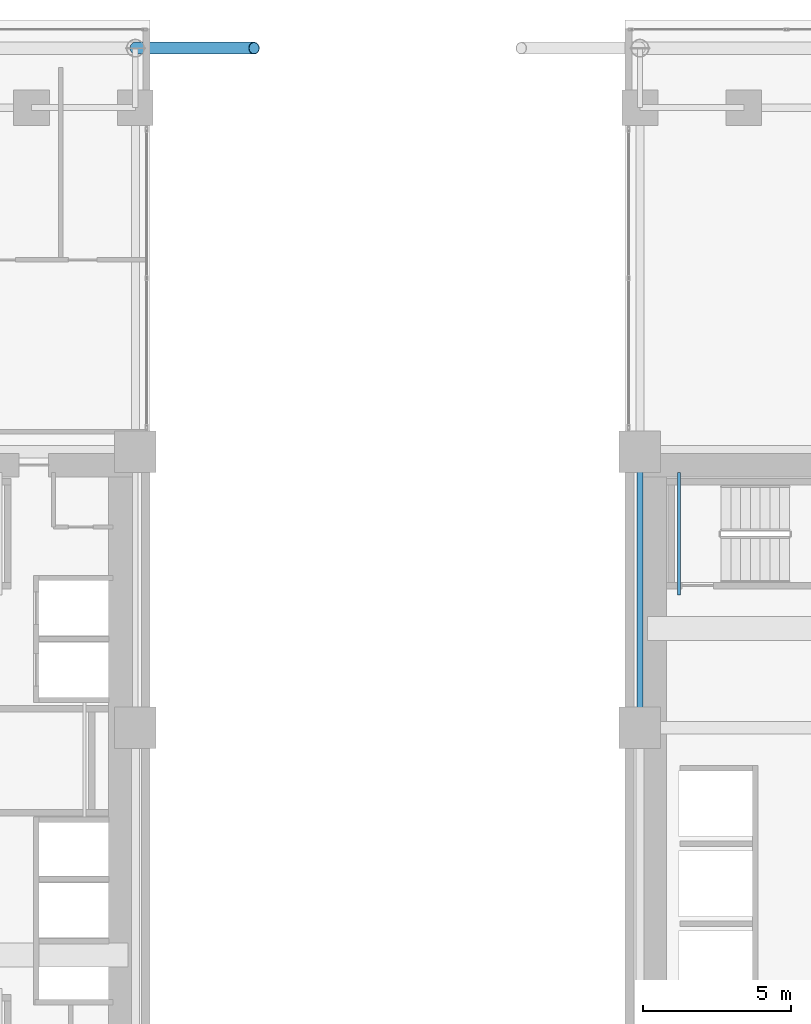
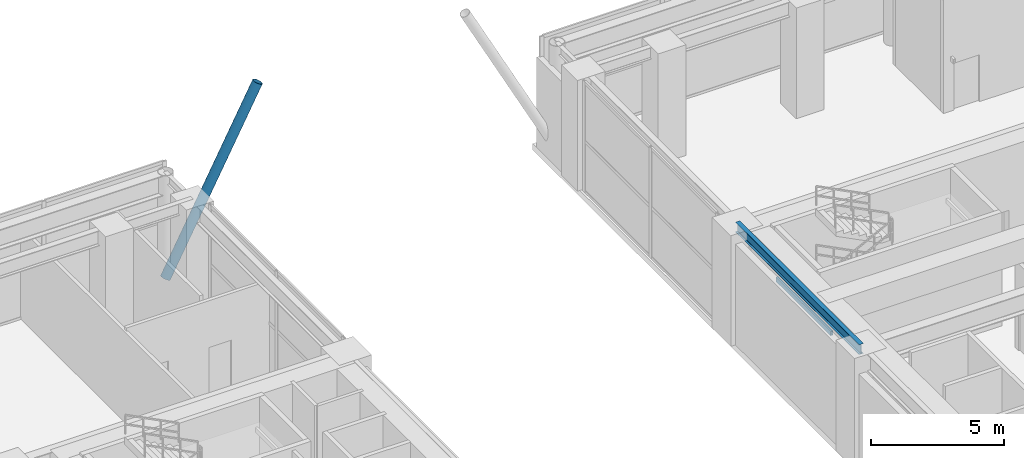
# One storey, part 14 of 29: 2 beams, 1 member.
"""IFC4 building model written with IfcOpenShell, lengths in metres."""

from ifc_helpers import new_model, si_unit, direction, frame, origin, origin_2d, place, context, subcontext, project, spatial, hollow_rectangle, hollow_circle, i_section, extrude, source, transform, mapped, material, material_profile, profile_set, type_object, element, save


model = new_model("IFC4")

# Units and contexts
model_context = context("Model", 3, precision=1e-05, world=origin(), true_north=direction((0.0, 1.0)))
body_context = subcontext(model_context, "Body", "Model", "MODEL_VIEW")
ifc_project = project(units=[si_unit("LENGTHUNIT", "METRE"), si_unit("AREAUNIT", "SQUARE_METRE"), si_unit("VOLUMEUNIT", "CUBIC_METRE"), si_unit("PLANEANGLEUNIT", "RADIAN"), si_unit("MASSUNIT", "GRAM", prefix="KILO")], contexts=[model_context])

# Site, building, storey
site_placement = place(None, origin())
site = spatial("IfcSite", under=ifc_project, at=site_placement, CompositionType="ELEMENT")
building_placement = place(site_placement, origin())
building = spatial("IfcBuilding", under=site, at=building_placement, Name="Ocotamira Hotel", CompositionType="ELEMENT")
storey_placement = place(building_placement, frame((0.0, 0.0, 6.0)))
storey = spatial("IfcBuildingStorey", under=building, at=storey_placement, Name="L02", CompositionType="ELEMENT", Elevation=6.0)

# Beams
ifc_material_1 = material(Name="Steel ASTM A500 Grade C", Category="steel")
ifc_material_profile_1 = material_profile(ifc_material_1, hollow_rectangle(XDim=0.10009765625, YDim=0.199951171875, WallThickness=0.008056640625, at=origin_2d()), Name="HSS200X100X8")
ifc_profile_set_1 = profile_set([ifc_material_profile_1], Name="Steel ASTM A500 Grade C")
beam_type_1 = type_object("IfcBeamType", Name="BM-STLDG-HSS200", PredefinedType="BEAM", material=ifc_profile_set_1)
shared_shape_1 = source(origin(), body_context, "Body", "SweptSolid", [
    extrude(hollow_rectangle(XDim=0.10009765625, YDim=0.199951171875, WallThickness=0.008056640625, at=origin_2d()), origin(), (0.0, 0.0, 1.0), 4.1201171875),
])
beam_1_placement = place(storey_placement, frame((41.81005859375, 32.6298828125, 2.39990234375), z_axis=(0.0, 1.0, 0.0), x_axis=(-1.0, 0.0, 0.0)))
element("IfcBeam", 1, at=beam_1_placement, inside=storey, type_object=beam_type_1, Name="L02 Stair ST-4 Landing Bearer 2", PredefinedType="BEAM", context=body_context, shape_type="MappedRepresentation", body=[
    mapped(shared_shape_1, transform((0.0, 0.0, 0.0), scale=1.0)),
])
ifc_material_2 = material(Name="Steel ASTM A992 Grade 50", Category="steel")
ifc_material_profile_2 = material_profile(ifc_material_2, i_section(OverallWidth=0.18994140625, OverallDepth=0.45703125, WebThickness=0.009033203125, FlangeThickness=0.014404296875, FilletRadius=0.010009765625, at=origin_2d()), Name="W18X50")
ifc_profile_set_2 = profile_set([ifc_material_profile_2], Name="Steel ASTM A992 Grade 50")
beam_type_2 = type_object("IfcBeamType", Name="BM-SEC-W18X50", PredefinedType="JOIST", material=ifc_profile_set_2)
shared_shape_2 = source(origin(), body_context, "Body", "SweptSolid", [
    extrude(i_section(OverallWidth=0.18994140625, OverallDepth=0.45703125, WebThickness=0.009033203125, FlangeThickness=0.014404296875, FilletRadius=0.010009765625, at=origin_2d()), origin(), (0.0, 0.0, 1.0), 9.300048828125),
])
beam_2_placement = place(storey_placement, frame((40.5, 28.14990234375, 4.8515625), z_axis=(0.0, 1.0, 0.0), x_axis=(-1.0, 0.0, 0.0)))
element("IfcBeam", 2, at=beam_2_placement, inside=storey, type_object=beam_type_2, Name="L02 Beam X40.5 Y28.15-37.45", PredefinedType="JOIST", context=body_context, shape_type="MappedRepresentation", body=[
    mapped(shared_shape_2, transform((0.0, 0.0, 0.0), scale=1.0)),
])

# Member
ifc_material_3 = material(Name="Pale-metal coated steel ASTM A500 Grade C", Category="steel")
ifc_material_profile_3 = material_profile(ifc_material_3, hollow_circle(Radius=0.202880859375, WallThickness=0.01611328125, at=origin_2d()), Name="CHS406X16")
ifc_profile_set_3 = profile_set([ifc_material_profile_3], Name="Pale-metal coated steel ASTM A500 Grade C")
member_type = type_object("IfcMemberType", Name="MEM-ARCH-CHS406", PredefinedType="CHORD", material=ifc_profile_set_3)
shared_shape_3 = source(origin(), body_context, "Body", "SweptSolid", [
    extrude(hollow_circle(Radius=0.202880859375, WallThickness=0.01611328125, at=origin_2d()), origin(), (0.0, 0.0, 1.0), 8.58837890625),
])
member_placement = place(storey_placement, frame((23.5, 51.050048828125, 0.199951171875), z_axis=(0.465741746442, 0.0, 0.884920688888), x_axis=(0.0, 1.0, 0.0)))
element("IfcMember", 3, at=member_placement, inside=storey, type_object=member_type, Name="Giant Portal Arch Rib N1", PredefinedType="CHORD", context=body_context, shape_type="MappedRepresentation", body=[
    mapped(shared_shape_3, transform((0.0, 0.0, 0.0), scale=1.0)),
])

save(model, "model.ifc")
